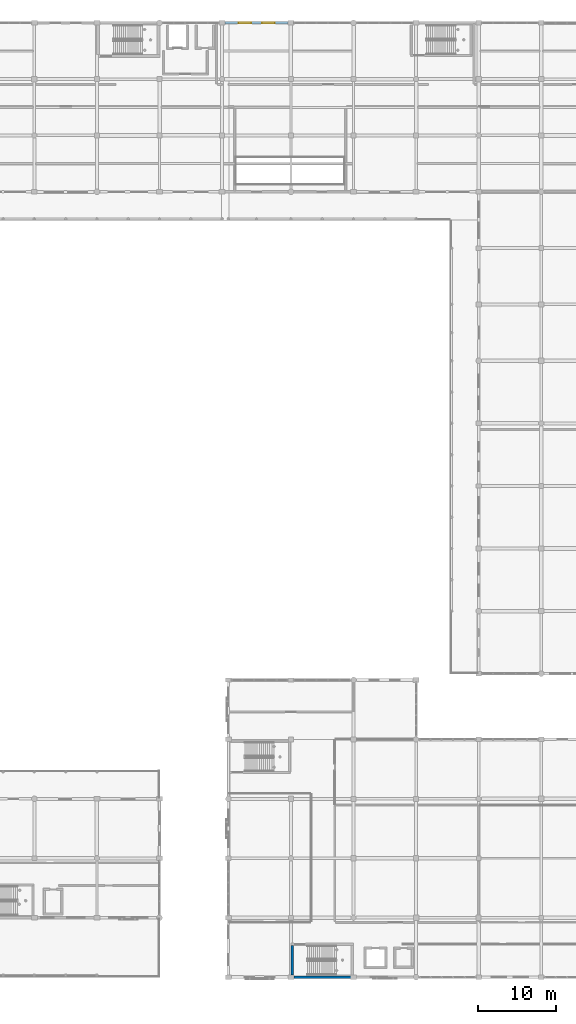
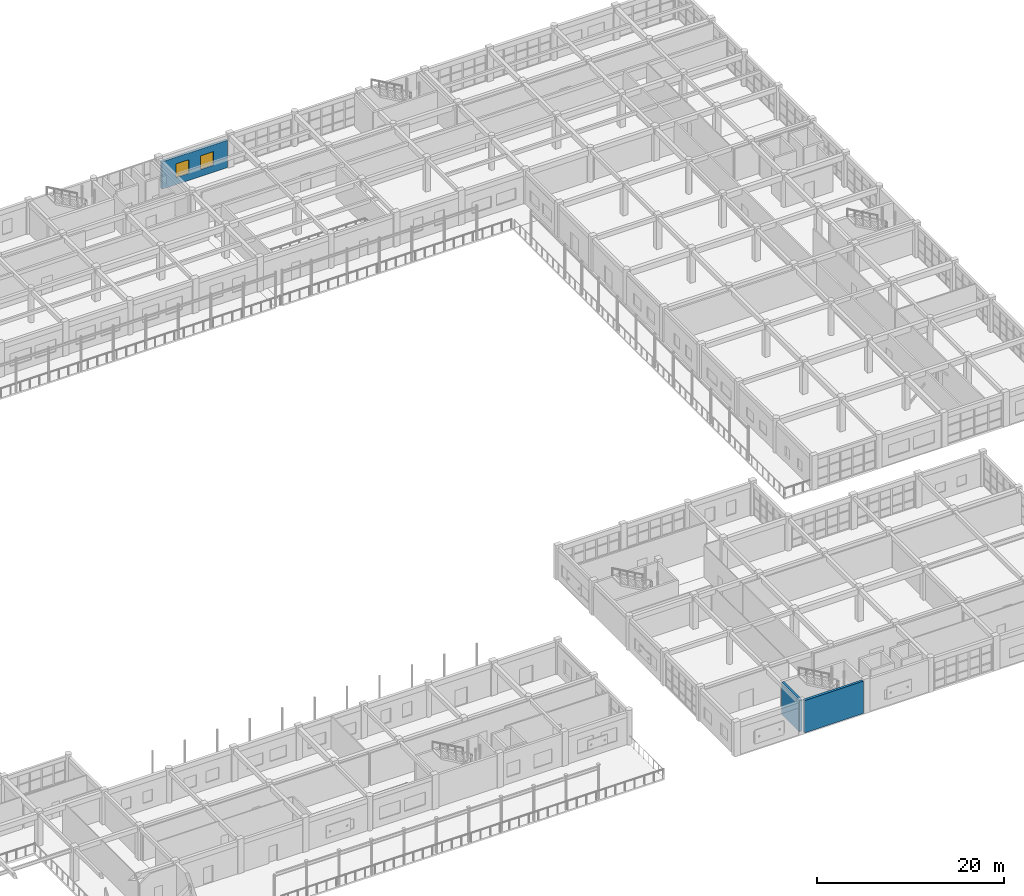
# One storey, part 133 of 160: 3 walls, 2 windows, 2 openings.
"""IFC4 building model written with IfcOpenShell, lengths in metres."""

from ifc_helpers import new_model, si_unit, direction, frame, frame_2d, origin, place, context, subcontext, project, spatial, rectangle, extrude, material, layer, layer_set, type_object, element, fill, save


model = new_model("IFC4")

# Units and contexts
model_context = context("Model", 3, precision=1e-05, world=origin(), true_north=direction((0.0, 1.0)))
body_context = subcontext(model_context, "Body", "Model", "MODEL_VIEW")
ifc_project = project(units=[si_unit("LENGTHUNIT", "METRE"), si_unit("AREAUNIT", "SQUARE_METRE"), si_unit("VOLUMEUNIT", "CUBIC_METRE"), si_unit("PLANEANGLEUNIT", "RADIAN"), si_unit("MASSUNIT", "GRAM", prefix="KILO")], contexts=[model_context])

# Site, building, storey
site_placement = place(None, origin())
site = spatial("IfcSite", under=ifc_project, at=site_placement, CompositionType="ELEMENT")
building_placement = place(site_placement, origin())
building = spatial("IfcBuilding", under=site, at=building_placement, Name="Kharva Crest Polytechnic", CompositionType="ELEMENT")
storey_placement = place(building_placement, frame((0.0, 0.0, 4.5)))
storey = spatial("IfcBuildingStorey", under=building, at=storey_placement, Name="L01", CompositionType="ELEMENT", Elevation=4.5)

# Walls
ifc_material_1 = material(Name="Concrete C40/50", Category="concrete")
ifc_layer_1 = layer(ifc_material_1, 0.300048828125, Name="Concrete C40/50")
ifc_layer_set_1 = layer_set([ifc_layer_1], Name="Concrete C40/50")
wall_type_1 = type_object("IfcWallType", Name="WL-CORE-CW2-300", PredefinedType="SHEAR", material=ifc_layer_set_1)
wall_1_placement = place(storey_placement, frame((128.949951171875, 0.300048828125, 0.0), z_axis=(0.0, 0.0, 1.0), x_axis=(0.0, 1.0, 0.0)))
element("IfcWall", 1, at=wall_1_placement, inside=storey, type_object=wall_type_1, Name="L01 South-East Refectory Escarpment Core C6 West Shear Wall", PredefinedType="SHEAR", context=body_context, shape_type="SweptSolid", body=[
    extrude(rectangle(XDim=3.760009765625, YDim=0.300048828125, at=frame_2d((1.8798828125, 0.0))), origin(), (0.0, 0.0, 1.0), 4.219970703125),
])
ifc_material_2 = material(Name="Kiln brick masonry", Category="masonry")
ifc_layer_2 = layer(ifc_material_2, 0.304931640625, Name="Kiln brick masonry")
ifc_layer_set_2 = layer_set([ifc_layer_2], Name="Kiln brick masonry")
wall_type_2 = type_object("IfcWallType", Name="WL-EXT-BRK-305", PredefinedType="SOLIDWALL", material=ifc_layer_set_2)
wall_2_placement = place(storey_placement, frame((129.169921875, 0.0, 0.0), z_axis=(0.0, 0.0, 1.0), x_axis=(1.0, 0.0, 0.0)))
element("IfcWall", 2, at=wall_2_placement, inside=storey, type_object=wall_type_2, Name="L01 Exterior Brick Wall 160", PredefinedType="SOLIDWALL", context=body_context, shape_type="SweptSolid", body=[
    extrude(rectangle(XDim=7.275146484375, YDim=0.304931640625, at=frame_2d((3.6376953125, 0.0))), origin(), (0.0, 0.0, 1.0), 4.219970703125),
])

# Wall, openings, windows
wall_3_placement = place(storey_placement, frame((128.445068359375, 122.0, 0.0), z_axis=(0.0, 0.0, 1.0), x_axis=(-1.0, 0.0, 0.0)))
wall_3 = element("IfcWall", 3, at=wall_3_placement, inside=storey, type_object=wall_type_2, Name="L01 Exterior Brick Wall 204", PredefinedType="SOLIDWALL", context=body_context, shape_type="SweptSolid", body=[
    extrude(rectangle(XDim=8.074951171875, YDim=0.304931640625, at=frame_2d((4.03759765625, 0.0))), origin(), (0.0, 0.0, 1.0), 3.570068359375),
])
opening_1_placement = place(wall_3_placement, frame((1.73193359375, 0.0, 0.89990234375)))
opening_1 = element("IfcOpeningElement", 4, at=opening_1_placement, cuts=wall_3, Name="Opening W06", PredefinedType="OPENING", context=body_context, shape_type="SweptSolid", body=[
    extrude(rectangle(XDim=1.60009765625, YDim=1.800048828125, at=frame_2d((0.800048828125, 0.89990234375))), frame((0.0, 0.162353515625, 0.0), z_axis=(0.0, -1.0, 0.0), x_axis=(1.0, 0.0, 0.0)), (0.0, 0.0, 1.0), 0.324951171875),
])
opening_2_placement = place(wall_3_placement, frame((4.742919921875, 0.0, 0.89990234375)))
opening_2 = element("IfcOpeningElement", 5, at=opening_2_placement, cuts=wall_3, Name="Opening W06", PredefinedType="OPENING", context=body_context, shape_type="SweptSolid", body=[
    extrude(rectangle(XDim=1.60009765625, YDim=1.800048828125, at=frame_2d((0.800048828125, 0.89990234375))), frame((0.0, 0.162353515625, 0.0), z_axis=(0.0, -1.0, 0.0), x_axis=(1.0, 0.0, 0.0)), (0.0, 0.0, 1.0), 0.324951171875),
])
ifc_material_3 = material(Name="Anodised aluminium", Category="aluminium")
window_type = type_object("IfcWindowType", Name="WIN-ALU-1600X1800", PartitioningType="SINGLE_PANEL", PredefinedType="WINDOW", material=ifc_material_3)
window_1_placement = place(opening_1_placement, origin())
window_1 = element("IfcWindow", 6, at=window_1_placement, inside=storey, type_object=window_type, Name="L01 Exterior Window 268", OverallHeight=1.800048828125, OverallWidth=1.60009765625, PartitioningType="SINGLE_PANEL", PredefinedType="WINDOW", context=body_context, shape_type="SweptSolid", body=[
    extrude(rectangle(XDim=1.60009765625, YDim=1.800048828125, at=frame_2d((0.800048828125, 0.89990234375))), frame((0.0, 0.030029296875, 0.0), z_axis=(0.0, -1.0, 0.0), x_axis=(1.0, 0.0, 0.0)), (0.0, 0.0, 1.0), 0.06005859375),
])
fill(opening_1, window_1)
window_2_placement = place(opening_2_placement, origin())
window_2 = element("IfcWindow", 7, at=window_2_placement, inside=storey, type_object=window_type, Name="L01 Exterior Window 269", OverallHeight=1.800048828125, OverallWidth=1.60009765625, PartitioningType="SINGLE_PANEL", PredefinedType="WINDOW", context=body_context, shape_type="SweptSolid", body=[
    extrude(rectangle(XDim=1.60009765625, YDim=1.800048828125, at=frame_2d((0.800048828125, 0.89990234375))), frame((0.0, 0.030029296875, 0.0), z_axis=(0.0, -1.0, 0.0), x_axis=(1.0, 0.0, 0.0)), (0.0, 0.0, 1.0), 0.06005859375),
])
fill(opening_2, window_2)

save(model, "model.ifc")
